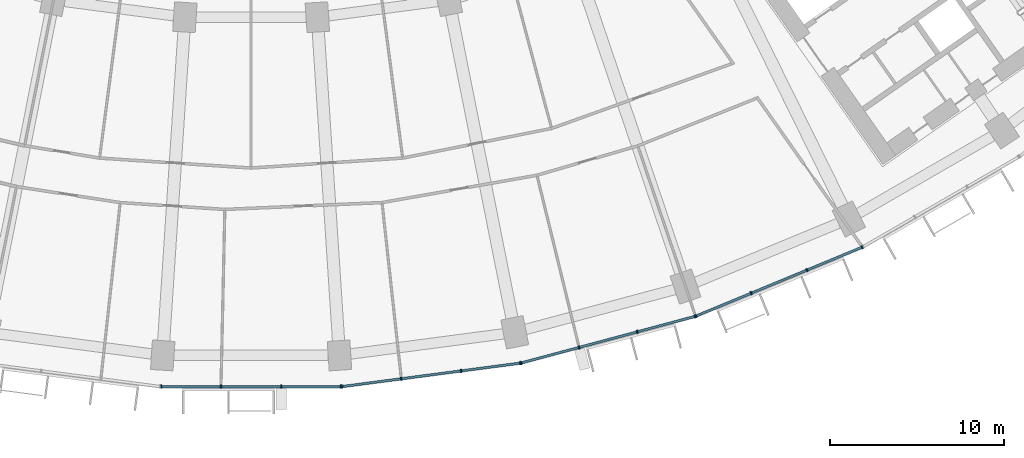
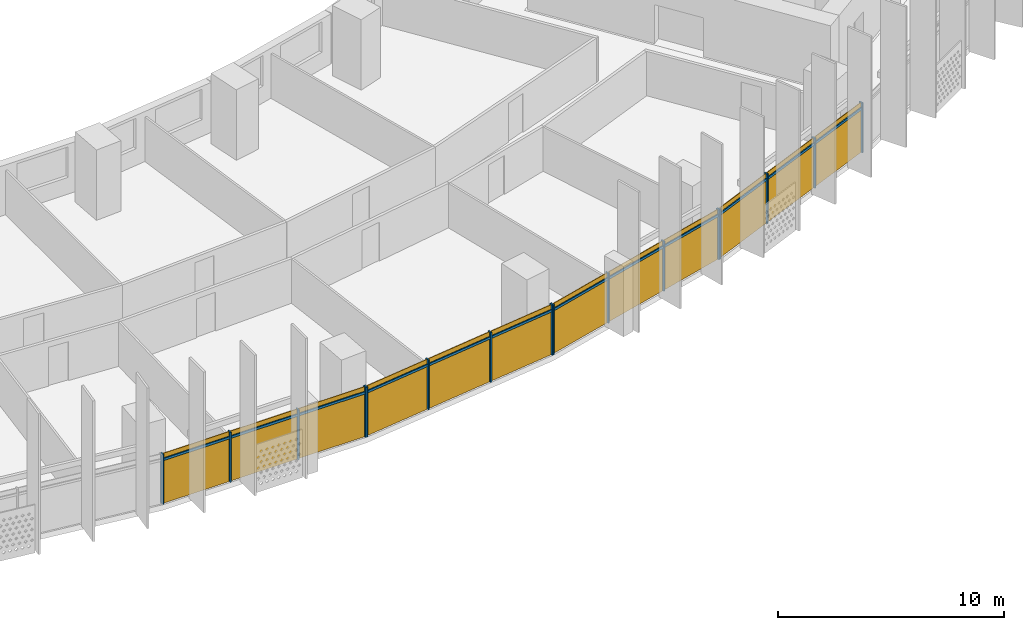
# One storey, part 21 of 31: 28 members, 4 curtain walls.
"""IFC4 building model written with IfcOpenShell, lengths in metres."""

from ifc_helpers import new_model, si_unit, direction, frame, origin, origin_2d, place, context, subcontext, project, spatial, rectangle, extrude, material, material_profile, profile_set, type_object, element, aggregate, save


model = new_model("IFC4")

# Units and contexts
model_context = context("Model", 3, precision=1e-05, world=origin(), true_north=direction((0.0, 1.0)))
body_context = subcontext(model_context, "Body", "Model", "MODEL_VIEW")
ifc_project = project(units=[si_unit("LENGTHUNIT", "METRE"), si_unit("AREAUNIT", "SQUARE_METRE"), si_unit("VOLUMEUNIT", "CUBIC_METRE"), si_unit("PLANEANGLEUNIT", "RADIAN"), si_unit("MASSUNIT", "GRAM", prefix="KILO")], contexts=[model_context])

# Member
ifc_material = material(Name="Aluminium 6063-T6 anodised", Category="aluminium")
ifc_material_profile_1 = material_profile(ifc_material, rectangle(XDim=0.199951171875, YDim=0.070068359375, at=origin_2d()))
ifc_profile_set_1 = profile_set([ifc_material_profile_1], Name="Aluminium 6063-T6 anodised")
member_type_1 = type_object("IfcMemberType", Name="Mullion 70 x 200 aluminium", PredefinedType="MULLION", material=ifc_profile_set_1)
site_placement = place(None, origin())
building_placement = place(site_placement, origin())
storey_placement = place(building_placement, frame((0.0, 0.0, 48.10009765625)))
member_1_placement = place(storey_placement, frame((-5.17431640625, -79.37939453125, 0.0), z_axis=(0.0, 0.0, 1.0), x_axis=(0.0, 1.0, 0.0)))
member_1 = element("IfcMember", 1, at=member_1_placement, type_object=member_type_1, Name="e-cw1-L08-out08/M00", PredefinedType="MULLION", context=body_context, shape_type="SweptSolid", body=[
    extrude(rectangle(XDim=0.199951171875, YDim=0.070068359375, at=origin_2d()), origin(), (0.0, 0.0, 1.0), 2.699951171875),
])

member_2_placement = place(storey_placement, frame((-1.736572265625, -79.37939453125, 0.0), z_axis=(0.0, 0.0, 1.0), x_axis=(0.0, 1.0, 0.0)))
member_2 = element("IfcMember", 2, at=member_2_placement, type_object=member_type_1, Name="e-cw1-L08-out08/M01", PredefinedType="MULLION", context=body_context, shape_type="SweptSolid", body=[
    extrude(rectangle(XDim=0.199951171875, YDim=0.070068359375, at=origin_2d()), origin(), (0.0, 0.0, 1.0), 2.699951171875),
])

member_3_placement = place(storey_placement, frame((1.736572265625, -79.37939453125, 0.0), z_axis=(0.0, 0.0, 1.0), x_axis=(0.0, 1.0, 0.0)))
member_3 = element("IfcMember", 3, at=member_3_placement, type_object=member_type_1, Name="e-cw1-L08-out08/M02", PredefinedType="MULLION", context=body_context, shape_type="SweptSolid", body=[
    extrude(rectangle(XDim=0.199951171875, YDim=0.070068359375, at=origin_2d()), origin(), (0.0, 0.0, 1.0), 2.699951171875),
])

member_4_placement = place(storey_placement, frame((5.17431640625, -79.37939453125, 0.0), z_axis=(0.0, 0.0, 1.0), x_axis=(0.0, 1.0, 0.0)))
member_4 = element("IfcMember", 4, at=member_4_placement, type_object=member_type_1, Name="e-cw1-L08-out08/M03", PredefinedType="MULLION", context=body_context, shape_type="SweptSolid", body=[
    extrude(rectangle(XDim=0.199951171875, YDim=0.070068359375, at=origin_2d()), origin(), (0.0, 0.0, 1.0), 2.699951171875),
])

member_5_placement = place(storey_placement, frame((5.23095703125, -79.375732421875, 0.0), z_axis=(0.0, 0.0, 1.0), x_axis=(-0.13052619222, 0.991444861374, 0.0)))
member_5 = element("IfcMember", 5, at=member_5_placement, type_object=member_type_1, Name="e-cw1-L08-out09/M00", PredefinedType="MULLION", context=body_context, shape_type="SweptSolid", body=[
    extrude(rectangle(XDim=0.199951171875, YDim=0.070068359375, at=origin_2d()), origin(), (0.0, 0.0, 1.0), 2.699951171875),
])

member_6_placement = place(storey_placement, frame((8.639404296875, -78.927001953125, 0.0), z_axis=(0.0, 0.0, 1.0), x_axis=(-0.13052619222, 0.991444861374, 0.0)))
member_6 = element("IfcMember", 6, at=member_6_placement, type_object=member_type_1, Name="e-cw1-L08-out09/M01", PredefinedType="MULLION", context=body_context, shape_type="SweptSolid", body=[
    extrude(rectangle(XDim=0.199951171875, YDim=0.070068359375, at=origin_2d()), origin(), (0.0, 0.0, 1.0), 2.699951171875),
])

member_7_placement = place(storey_placement, frame((12.082763671875, -78.4736328125, 0.0), z_axis=(0.0, 0.0, 1.0), x_axis=(-0.13052619222, 0.991444861374, 0.0)))
member_7 = element("IfcMember", 7, at=member_7_placement, type_object=member_type_1, Name="e-cw1-L08-out09/M02", PredefinedType="MULLION", context=body_context, shape_type="SweptSolid", body=[
    extrude(rectangle(XDim=0.199951171875, YDim=0.070068359375, at=origin_2d()), origin(), (0.0, 0.0, 1.0), 2.699951171875),
])

member_8_placement = place(storey_placement, frame((15.4912109375, -78.02490234375, 0.0), z_axis=(0.0, 0.0, 1.0), x_axis=(-0.13052619222, 0.991444861374, 0.0)))
member_8 = element("IfcMember", 8, at=member_8_placement, type_object=member_type_1, Name="e-cw1-L08-out09/M03", PredefinedType="MULLION", context=body_context, shape_type="SweptSolid", body=[
    extrude(rectangle(XDim=0.199951171875, YDim=0.070068359375, at=origin_2d()), origin(), (0.0, 0.0, 1.0), 2.699951171875),
])

member_9_placement = place(storey_placement, frame((15.546875, -78.013916015625, 0.0), z_axis=(0.0, 0.0, 1.0), x_axis=(-0.258819045103, 0.965925826289, 0.0)))
member_9 = element("IfcMember", 9, at=member_9_placement, type_object=member_type_1, Name="e-cw1-L08-out10/M00", PredefinedType="MULLION", context=body_context, shape_type="SweptSolid", body=[
    extrude(rectangle(XDim=0.199951171875, YDim=0.070068359375, at=origin_2d()), origin(), (0.0, 0.0, 1.0), 2.699951171875),
])

member_10_placement = place(storey_placement, frame((18.86767578125, -77.1240234375, 0.0), z_axis=(0.0, 0.0, 1.0), x_axis=(-0.258819045103, 0.965925826289, 0.0)))
member_10 = element("IfcMember", 10, at=member_10_placement, type_object=member_type_1, Name="e-cw1-L08-out10/M01", PredefinedType="MULLION", context=body_context, shape_type="SweptSolid", body=[
    extrude(rectangle(XDim=0.199951171875, YDim=0.070068359375, at=origin_2d()), origin(), (0.0, 0.0, 1.0), 2.699951171875),
])

member_11_placement = place(storey_placement, frame((22.22216796875, -76.225341796875, 0.0), z_axis=(0.0, 0.0, 1.0), x_axis=(-0.258819045103, 0.965925826289, 0.0)))
member_11 = element("IfcMember", 11, at=member_11_placement, type_object=member_type_1, Name="e-cw1-L08-out10/M02", PredefinedType="MULLION", context=body_context, shape_type="SweptSolid", body=[
    extrude(rectangle(XDim=0.199951171875, YDim=0.070068359375, at=origin_2d()), origin(), (0.0, 0.0, 1.0), 2.699951171875),
])

member_12_placement = place(storey_placement, frame((25.54296875, -75.33544921875, 0.0), z_axis=(0.0, 0.0, 1.0), x_axis=(-0.258819045103, 0.965925826289, 0.0)))
member_12 = element("IfcMember", 12, at=member_12_placement, type_object=member_type_1, Name="e-cw1-L08-out10/M03", PredefinedType="MULLION", context=body_context, shape_type="SweptSolid", body=[
    extrude(rectangle(XDim=0.199951171875, YDim=0.070068359375, at=origin_2d()), origin(), (0.0, 0.0, 1.0), 2.699951171875),
])

member_13_placement = place(storey_placement, frame((25.5966796875, -75.317138671875, 0.0), z_axis=(0.0, 0.0, 1.0), x_axis=(-0.382683432365, 0.923879532511, 0.0)))
member_13 = element("IfcMember", 13, at=member_13_placement, type_object=member_type_1, Name="e-cw1-L08-out11/M00", PredefinedType="MULLION", context=body_context, shape_type="SweptSolid", body=[
    extrude(rectangle(XDim=0.199951171875, YDim=0.070068359375, at=origin_2d()), origin(), (0.0, 0.0, 1.0), 2.699951171875),
])

member_14_placement = place(storey_placement, frame((28.77294921875, -74.00146484375, 0.0), z_axis=(0.0, 0.0, 1.0), x_axis=(-0.382683432365, 0.923879532511, 0.0)))
member_14 = element("IfcMember", 14, at=member_14_placement, type_object=member_type_1, Name="e-cw1-L08-out11/M01", PredefinedType="MULLION", context=body_context, shape_type="SweptSolid", body=[
    extrude(rectangle(XDim=0.199951171875, YDim=0.070068359375, at=origin_2d()), origin(), (0.0, 0.0, 1.0), 2.699951171875),
])

member_15_placement = place(storey_placement, frame((31.9814453125, -72.672607421875, 0.0), z_axis=(0.0, 0.0, 1.0), x_axis=(-0.382683432365, 0.923879532511, 0.0)))
member_15 = element("IfcMember", 15, at=member_15_placement, type_object=member_type_1, Name="e-cw1-L08-out11/M02", PredefinedType="MULLION", context=body_context, shape_type="SweptSolid", body=[
    extrude(rectangle(XDim=0.199951171875, YDim=0.070068359375, at=origin_2d()), origin(), (0.0, 0.0, 1.0), 2.699951171875),
])

member_16_placement = place(storey_placement, frame((35.15771484375, -71.35693359375, 0.0), z_axis=(0.0, 0.0, 1.0), x_axis=(-0.382683432365, 0.923879532511, 0.0)))
member_16 = element("IfcMember", 16, at=member_16_placement, type_object=member_type_1, Name="e-cw1-L08-out11/M03", PredefinedType="MULLION", context=body_context, shape_type="SweptSolid", body=[
    extrude(rectangle(XDim=0.199951171875, YDim=0.070068359375, at=origin_2d()), origin(), (0.0, 0.0, 1.0), 2.699951171875),
])

ifc_material_profile_2 = material_profile(ifc_material, rectangle(XDim=0.139892578125, YDim=0.1201171875, at=origin_2d()))
ifc_profile_set_2 = profile_set([ifc_material_profile_2], Name="Aluminium 6063-T6 anodised")
member_type_2 = type_object("IfcMemberType", Name="Transom 120 x 140 aluminium", PredefinedType="USERDEFINED", material=ifc_profile_set_2)
member_17_placement = place(storey_placement, frame((-5.139404296875, -79.37939453125, 2.39990234375), z_axis=(1.0, 0.0, 0.0), x_axis=(0.0, 1.0, 0.0)))
member_17 = element("IfcMember", 17, at=member_17_placement, type_object=member_type_2, Name="e-cw1-L08-out08/T00", ObjectType="TRANSOM", PredefinedType="USERDEFINED", context=body_context, shape_type="SweptSolid", body=[
    extrude(rectangle(XDim=0.139892578125, YDim=0.1201171875, at=origin_2d()), origin(), (0.0, 0.0, 1.0), 3.367919921875),
])

member_18_placement = place(storey_placement, frame((-1.701416015625, -79.37939453125, 2.39990234375), z_axis=(1.0, 0.0, 0.0), x_axis=(0.0, 1.0, 0.0)))
member_18 = element("IfcMember", 18, at=member_18_placement, type_object=member_type_2, Name="e-cw1-L08-out08/T01", ObjectType="TRANSOM", PredefinedType="USERDEFINED", context=body_context, shape_type="SweptSolid", body=[
    extrude(rectangle(XDim=0.139892578125, YDim=0.1201171875, at=origin_2d()), origin(), (0.0, 0.0, 1.0), 3.40283203125),
])

member_19_placement = place(storey_placement, frame((1.771484375, -79.37939453125, 2.39990234375), z_axis=(1.0, 0.0, 0.0), x_axis=(0.0, 1.0, 0.0)))
member_19 = element("IfcMember", 19, at=member_19_placement, type_object=member_type_2, Name="e-cw1-L08-out08/T02", ObjectType="TRANSOM", PredefinedType="USERDEFINED", context=body_context, shape_type="SweptSolid", body=[
    extrude(rectangle(XDim=0.139892578125, YDim=0.1201171875, at=origin_2d()), origin(), (0.0, 0.0, 1.0), 3.367919921875),
])

member_20_placement = place(storey_placement, frame((5.265625, -79.37109375, 2.39990234375), z_axis=(0.991450594138, 0.130482640159, 0.0), x_axis=(-0.130482640159, 0.991450594138, 0.0)))
member_20 = element("IfcMember", 20, at=member_20_placement, type_object=member_type_2, Name="e-cw1-L08-out09/T00", ObjectType="TRANSOM", PredefinedType="USERDEFINED", context=body_context, shape_type="SweptSolid", body=[
    extrude(rectangle(XDim=0.139892578125, YDim=0.1201171875, at=origin_2d()), origin(), (0.0, 0.0, 1.0), 3.367919921875),
])

member_21_placement = place(storey_placement, frame((8.67431640625, -78.92236328125, 2.39990234375), z_axis=(0.991447700941, 0.130504621753, 0.0), x_axis=(-0.130504621753, 0.991447700941, 0.0)))
member_21 = element("IfcMember", 21, at=member_21_placement, type_object=member_type_2, Name="e-cw1-L08-out09/T01", ObjectType="TRANSOM", PredefinedType="USERDEFINED", context=body_context, shape_type="SweptSolid", body=[
    extrude(rectangle(XDim=0.139892578125, YDim=0.1201171875, at=origin_2d()), origin(), (0.0, 0.0, 1.0), 3.40283203125),
])

member_22_placement = place(storey_placement, frame((12.117431640625, -78.46923828125, 2.39990234375), z_axis=(0.9914412138, 0.130553895303, 0.0), x_axis=(-0.130553895303, 0.9914412138, 0.0)))
member_22 = element("IfcMember", 22, at=member_22_placement, type_object=member_type_2, Name="e-cw1-L08-out09/T02", ObjectType="TRANSOM", PredefinedType="USERDEFINED", context=body_context, shape_type="SweptSolid", body=[
    extrude(rectangle(XDim=0.139892578125, YDim=0.1201171875, at=origin_2d()), origin(), (0.0, 0.0, 1.0), 3.367919921875),
])

member_23_placement = place(storey_placement, frame((15.58056640625, -78.0048828125, 2.39990234375), z_axis=(0.965915368772, 0.258858069935, 0.0), x_axis=(-0.258858069935, 0.965915368772, 0.0)))
member_23 = element("IfcMember", 23, at=member_23_placement, type_object=member_type_2, Name="e-cw1-L08-out10/T00", ObjectType="TRANSOM", PredefinedType="USERDEFINED", context=body_context, shape_type="SweptSolid", body=[
    extrude(rectangle(XDim=0.139892578125, YDim=0.1201171875, at=origin_2d()), origin(), (0.0, 0.0, 1.0), 3.367919921875),
])

member_24_placement = place(storey_placement, frame((18.9013671875, -77.114990234375, 2.39990234375), z_axis=(0.965937804901, 0.258774336176, 0.0), x_axis=(-0.258774336176, 0.965937804901, 0.0)))
member_24 = element("IfcMember", 24, at=member_24_placement, type_object=member_type_2, Name="e-cw1-L08-out10/T01", ObjectType="TRANSOM", PredefinedType="USERDEFINED", context=body_context, shape_type="SweptSolid", body=[
    extrude(rectangle(XDim=0.139892578125, YDim=0.1201171875, at=origin_2d()), origin(), (0.0, 0.0, 1.0), 3.403076171875),
])

member_25_placement = place(storey_placement, frame((22.256103515625, -76.21630859375, 2.39990234375), z_axis=(0.965915368772, 0.258858069935, 0.0), x_axis=(-0.258858069935, 0.965915368772, 0.0)))
member_25 = element("IfcMember", 25, at=member_25_placement, type_object=member_type_2, Name="e-cw1-L08-out10/T02", ObjectType="TRANSOM", PredefinedType="USERDEFINED", context=body_context, shape_type="SweptSolid", body=[
    extrude(rectangle(XDim=0.139892578125, YDim=0.1201171875, at=origin_2d()), origin(), (0.0, 0.0, 1.0), 3.367919921875),
])

member_26_placement = place(storey_placement, frame((25.629150390625, -75.3037109375, 2.39990234375), z_axis=(0.923872807855, 0.382699666719, 0.0), x_axis=(-0.382699666719, 0.923872807855, 0.0)))
member_26 = element("IfcMember", 26, at=member_26_placement, type_object=member_type_2, Name="e-cw1-L08-out11/T00", ObjectType="TRANSOM", PredefinedType="USERDEFINED", context=body_context, shape_type="SweptSolid", body=[
    extrude(rectangle(XDim=0.139892578125, YDim=0.1201171875, at=origin_2d()), origin(), (0.0, 0.0, 1.0), 3.36767578125),
])

member_27_placement = place(storey_placement, frame((28.80517578125, -73.98828125, 2.39990234375), z_axis=(0.92388567708, 0.382668597728, 0.0), x_axis=(-0.382668597728, 0.92388567708, 0.0)))
member_27 = element("IfcMember", 27, at=member_27_placement, type_object=member_type_2, Name="e-cw1-L08-out11/T01", ObjectType="TRANSOM", PredefinedType="USERDEFINED", context=body_context, shape_type="SweptSolid", body=[
    extrude(rectangle(XDim=0.139892578125, YDim=0.1201171875, at=origin_2d()), origin(), (0.0, 0.0, 1.0), 3.403076171875),
])

member_28_placement = place(storey_placement, frame((32.013916015625, -72.6591796875, 2.39990234375), z_axis=(0.923872807855, 0.382699666719, 0.0), x_axis=(-0.382699666719, 0.923872807855, 0.0)))
member_28 = element("IfcMember", 28, at=member_28_placement, type_object=member_type_2, Name="e-cw1-L08-out11/T02", ObjectType="TRANSOM", PredefinedType="USERDEFINED", context=body_context, shape_type="SweptSolid", body=[
    extrude(rectangle(XDim=0.139892578125, YDim=0.1201171875, at=origin_2d()), origin(), (0.0, 0.0, 1.0), 3.36767578125),
])

# Site, building, storey
site = spatial("IfcSite", under=ifc_project, at=site_placement, CompositionType="ELEMENT")
building = spatial("IfcBuilding", under=site, at=building_placement, Name="Qamariyya Broadcast Tower", CompositionType="ELEMENT")
storey = spatial("IfcBuildingStorey", under=building, at=storey_placement, Name="L08", CompositionType="ELEMENT", Elevation=48.10009765625)

# Curtain wall
curtain_wall_type = type_object("IfcCurtainWallType", Name="Unitised curtain wall, anodised aluminium", PredefinedType="NOTDEFINED", material=ifc_material)
curtain_wall_1_placement = place(storey_placement, origin())
curtain_wall_1 = element("IfcCurtainWall", 29, at=curtain_wall_1_placement, inside=storey, type_object=curtain_wall_type, Name="e-cw1-L08-out08", PredefinedType="NOTDEFINED", context=body_context, shape_type="SweptSolid", body=[
    extrude(rectangle(XDim=3.367919921875, YDim=0.031982421875, at=origin_2d()), frame((-3.45556640625, -79.37939453125, 0.0), x_axis=(1.0, 0.0, 0.0)), (0.0, 0.0, 1.0), 2.340087890625),
    extrude(rectangle(XDim=3.367919921875, YDim=0.031982421875, at=origin_2d()), frame((-3.45556640625, -79.37939453125, 2.4599609375), x_axis=(1.0, 0.0, 0.0)), (0.0, 0.0, 1.0), 0.239990234375),
    extrude(rectangle(XDim=3.403076171875, YDim=0.031982421875, at=origin_2d()), frame((0.0, -79.37939453125, 0.0), x_axis=(1.0, 0.0, 0.0)), (0.0, 0.0, 1.0), 2.340087890625),
    extrude(rectangle(XDim=3.403076171875, YDim=0.031982421875, at=origin_2d()), frame((0.0, -79.37939453125, 2.4599609375), x_axis=(1.0, 0.0, 0.0)), (0.0, 0.0, 1.0), 0.239990234375),
    extrude(rectangle(XDim=3.367919921875, YDim=0.031982421875, at=origin_2d()), frame((3.45556640625, -79.37939453125, 0.0), x_axis=(1.0, 0.0, 0.0)), (0.0, 0.0, 1.0), 2.340087890625),
    extrude(rectangle(XDim=3.367919921875, YDim=0.031982421875, at=origin_2d()), frame((3.45556640625, -79.37939453125, 2.4599609375), x_axis=(1.0, 0.0, 0.0)), (0.0, 0.0, 1.0), 0.239990234375),
])

aggregate(curtain_wall_1, [member_1, member_2, member_3, member_4, member_17, member_18, member_19])

curtain_wall_2_placement = place(storey_placement, origin())
curtain_wall_2 = element("IfcCurtainWall", 30, at=curtain_wall_2_placement, inside=storey, type_object=curtain_wall_type, Name="e-cw1-L08-out09", PredefinedType="NOTDEFINED", context=body_context, shape_type="SweptSolid", body=[
    extrude(rectangle(XDim=3.367919921875, YDim=0.031982421875, at=origin_2d()), frame((6.935302734375, -79.1513671875, 0.0), x_axis=(0.991445519925, 0.130521189931, 0.0)), (0.0, 0.0, 1.0), 2.340087890625),
    extrude(rectangle(XDim=3.367919921875, YDim=0.031982421875, at=origin_2d()), frame((6.935302734375, -79.1513671875, 2.4599609375), x_axis=(0.991445519925, 0.130521189931, 0.0)), (0.0, 0.0, 1.0), 0.239990234375),
    extrude(rectangle(XDim=3.40283203125, YDim=0.031982421875, at=origin_2d()), frame((10.361083984375, -78.700439453125, 0.0), x_axis=(0.991445519925, 0.130521189931, 0.0)), (0.0, 0.0, 1.0), 2.340087890625),
    extrude(rectangle(XDim=3.40283203125, YDim=0.031982421875, at=origin_2d()), frame((10.361083984375, -78.700439453125, 2.4599609375), x_axis=(0.991445519925, 0.130521189931, 0.0)), (0.0, 0.0, 1.0), 0.239990234375),
    extrude(rectangle(XDim=3.367919921875, YDim=0.031982421875, at=origin_2d()), frame((13.786865234375, -78.24951171875, 0.0), x_axis=(0.991445519925, 0.130521189931, 0.0)), (0.0, 0.0, 1.0), 2.340087890625),
    extrude(rectangle(XDim=3.367919921875, YDim=0.031982421875, at=origin_2d()), frame((13.786865234375, -78.24951171875, 2.4599609375), x_axis=(0.991445519925, 0.130521189931, 0.0)), (0.0, 0.0, 1.0), 0.239990234375),
])

aggregate(curtain_wall_2, [member_5, member_6, member_7, member_8, member_20, member_21, member_22])

curtain_wall_3_placement = place(storey_placement, origin())
curtain_wall_3 = element("IfcCurtainWall", 31, at=curtain_wall_3_placement, inside=storey, type_object=curtain_wall_type, Name="e-cw1-L08-out10", PredefinedType="NOTDEFINED", context=body_context, shape_type="SweptSolid", body=[
    extrude(rectangle(XDim=3.367919921875, YDim=0.031982421875, at=origin_2d()), frame((17.207275390625, -77.569091796875, 0.0), x_axis=(0.965925039578, 0.258821981129, 0.0)), (0.0, 0.0, 1.0), 2.340087890625),
    extrude(rectangle(XDim=3.367919921875, YDim=0.031982421875, at=origin_2d()), frame((17.207275390625, -77.569091796875, 2.4599609375), x_axis=(0.965925039578, 0.258821981129, 0.0)), (0.0, 0.0, 1.0), 0.239990234375),
    extrude(rectangle(XDim=3.40283203125, YDim=0.031982421875, at=origin_2d()), frame((20.544921875, -76.6748046875, 0.0), x_axis=(0.965925039578, 0.258821981129, 0.0)), (0.0, 0.0, 1.0), 2.340087890625),
    extrude(rectangle(XDim=3.40283203125, YDim=0.031982421875, at=origin_2d()), frame((20.544921875, -76.6748046875, 2.4599609375), x_axis=(0.965925039578, 0.258821981129, 0.0)), (0.0, 0.0, 1.0), 0.239990234375),
    extrude(rectangle(XDim=3.367919921875, YDim=0.031982421875, at=origin_2d()), frame((23.882568359375, -75.7802734375, 0.0), x_axis=(0.965925039578, 0.258821981129, 0.0)), (0.0, 0.0, 1.0), 2.340087890625),
    extrude(rectangle(XDim=3.367919921875, YDim=0.031982421875, at=origin_2d()), frame((23.882568359375, -75.7802734375, 2.4599609375), x_axis=(0.965925039578, 0.258821981129, 0.0)), (0.0, 0.0, 1.0), 0.239990234375),
])

aggregate(curtain_wall_3, [member_9, member_10, member_11, member_12, member_23, member_24, member_25])

curtain_wall_4_placement = place(storey_placement, origin())
curtain_wall_4 = element("IfcCurtainWall", 32, at=curtain_wall_4_placement, inside=storey, type_object=curtain_wall_type, Name="e-cw1-L08-out11", PredefinedType="NOTDEFINED", context=body_context, shape_type="SweptSolid", body=[
    extrude(rectangle(XDim=3.367919921875, YDim=0.031982421875, at=origin_2d()), frame((27.184814453125, -74.659423828125, 0.0), x_axis=(0.92387774222, 0.382687754482, 0.0)), (0.0, 0.0, 1.0), 2.340087890625),
    extrude(rectangle(XDim=3.367919921875, YDim=0.031982421875, at=origin_2d()), frame((27.184814453125, -74.659423828125, 2.4599609375), x_axis=(0.92387774222, 0.382687754482, 0.0)), (0.0, 0.0, 1.0), 0.239990234375),
    extrude(rectangle(XDim=3.40283203125, YDim=0.031982421875, at=origin_2d()), frame((30.377197265625, -73.3369140625, 0.0), x_axis=(0.92387774222, 0.382687754482, 0.0)), (0.0, 0.0, 1.0), 2.340087890625),
    extrude(rectangle(XDim=3.40283203125, YDim=0.031982421875, at=origin_2d()), frame((30.377197265625, -73.3369140625, 2.4599609375), x_axis=(0.92387774222, 0.382687754482, 0.0)), (0.0, 0.0, 1.0), 0.239990234375),
    extrude(rectangle(XDim=3.367919921875, YDim=0.031982421875, at=origin_2d()), frame((33.569580078125, -72.0146484375, 0.0), x_axis=(0.92387774222, 0.382687754482, 0.0)), (0.0, 0.0, 1.0), 2.340087890625),
    extrude(rectangle(XDim=3.367919921875, YDim=0.031982421875, at=origin_2d()), frame((33.569580078125, -72.0146484375, 2.4599609375), x_axis=(0.92387774222, 0.382687754482, 0.0)), (0.0, 0.0, 1.0), 0.239990234375),
])

aggregate(curtain_wall_4, [member_13, member_14, member_15, member_16, member_26, member_27, member_28])

save(model, "model.ifc")
